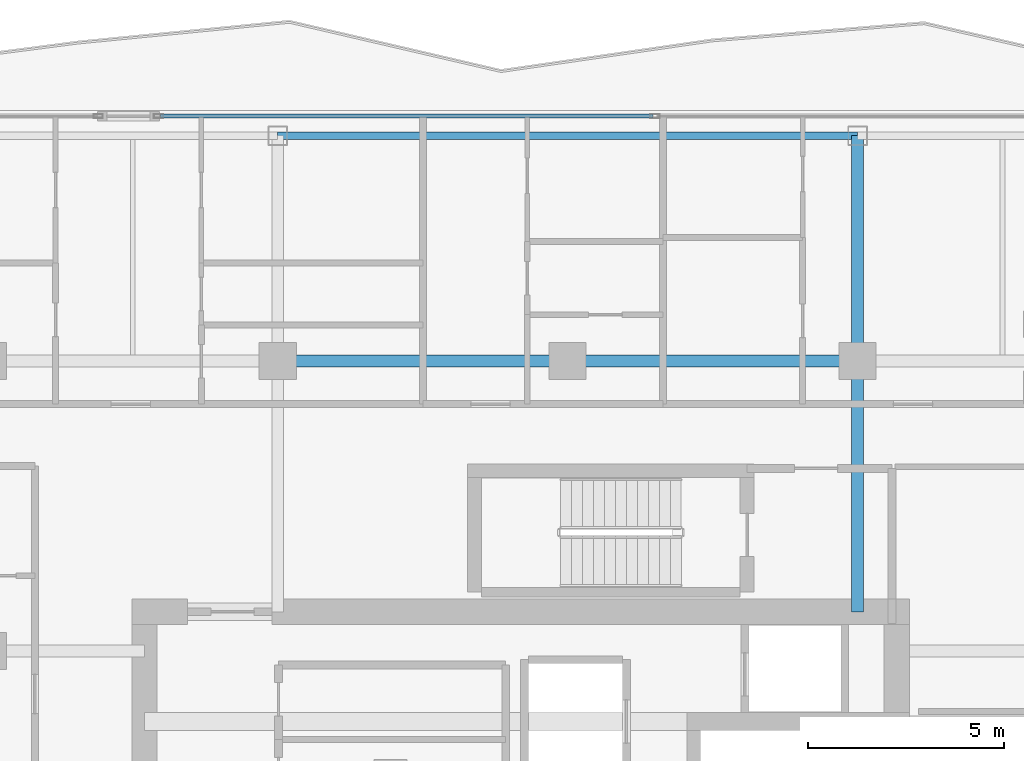
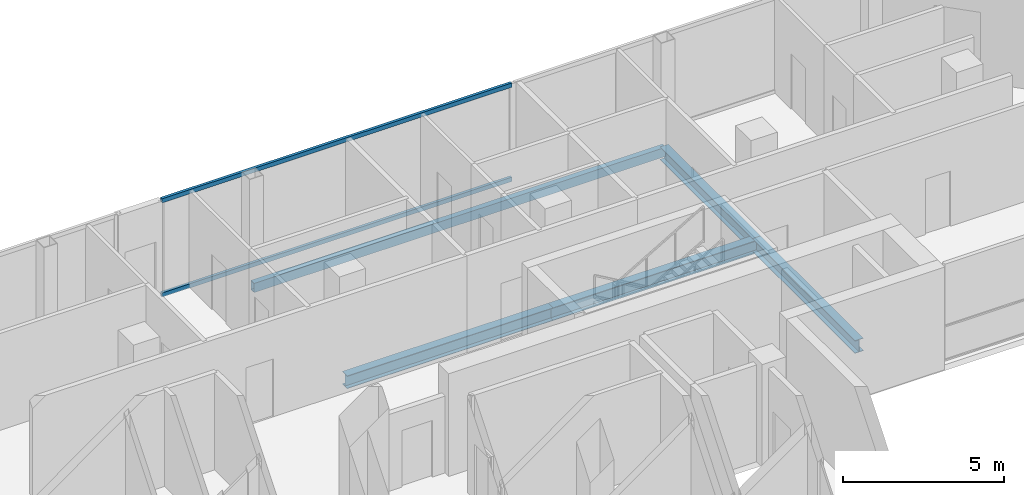
# One storey, part 12 of 23: 5 beams, 2 members, 1 element without a shape of its own.
"""IFC4 building model written with IfcOpenShell, lengths in metres."""

from ifc_helpers import new_model, si_unit, direction, frame, origin, origin_2d, place, context, subcontext, project, spatial, hollow_rectangle, i_section, extrude, material, layer, layer_set, material_profile, profile_set, type_object, element, aggregate, save


model = new_model("IFC4")

# Units and contexts
model_context = context("Model", 3, precision=1e-05, world=origin(), true_north=direction((0.0, 1.0)))
body_context = subcontext(model_context, "Body", "Model", "MODEL_VIEW")
ifc_project = project(units=[si_unit("LENGTHUNIT", "METRE"), si_unit("AREAUNIT", "SQUARE_METRE"), si_unit("VOLUMEUNIT", "CUBIC_METRE"), si_unit("PLANEANGLEUNIT", "RADIAN"), si_unit("MASSUNIT", "GRAM", prefix="KILO")], contexts=[model_context])

# Site, building, storey
site_placement = place(None, origin())
site = spatial("IfcSite", under=ifc_project, at=site_placement, CompositionType="ELEMENT")
building_placement = place(site_placement, origin())
building = spatial("IfcBuilding", under=site, at=building_placement, Name="Khorvyn Point Tower", CompositionType="ELEMENT")
storey_placement = place(building_placement, frame((0.0, 0.0, 293.699951171875)))
storey = spatial("IfcBuildingStorey", under=building, at=storey_placement, Name="L72", CompositionType="ELEMENT", Elevation=293.699951171875)

# Curtain wall, members
ifc_material_1 = material(Name="Anodised aluminium 6063-T6 and laminated Low-E glass", Category="aluminium")
ifc_layer = layer(ifc_material_1, 0.18994140625)
ifc_layer_set = layer_set([ifc_layer], Name="Stick-Built High-Wind Curtain Wall CW-SYS-04")
curtain_wall_type = type_object("IfcCurtainWallType", Name="Stick-Built High-Wind Curtain Wall CW-SYS-04", PredefinedType="NOTDEFINED", material=ifc_layer_set)
curtain_wall_placement = place(storey_placement, origin())
curtain_wall = element("IfcCurtainWall", 1, at=curtain_wall_placement, inside=storey, type_object=curtain_wall_type, Name="Curtain Wall", PredefinedType="NOTDEFINED")
ifc_material_2 = material(Name="Anodised aluminium 6063-T6", Category="aluminium")
ifc_material_profile_1 = material_profile(ifc_material_2, hollow_rectangle(XDim=0.10009765625, YDim=0.159912109375, WallThickness=0.00439453125, at=origin_2d()))
ifc_profile_set_1 = profile_set([ifc_material_profile_1], Name="Anodised aluminium 6063-T6 ALU-TRN-100x160")
member_type = type_object("IfcMemberType", Name="Anodised Aluminium 6063-T6 Transom ALU-TRN-100x160", PredefinedType="USERDEFINED", material=ifc_profile_set_1)
member_1_placement = place(storey_placement, frame((-10.389892578125, 21.050048828125, 0.050048828125), z_axis=(1.0, 0.0, 0.0), x_axis=(0.0, 1.0, 0.0)))
member_1 = element("IfcMember", 2, at=member_1_placement, type_object=member_type, Name="Transom", ObjectType="TRANSOM", PredefinedType="USERDEFINED", context=body_context, shape_type="SweptSolid", body=[
    extrude(hollow_rectangle(XDim=0.10009765625, YDim=0.159912109375, WallThickness=0.00439453125, at=origin_2d()), origin(), (0.0, 0.0, 1.0), 12.56982421875),
])
member_2_placement = place(storey_placement, frame((-10.389892578125, 21.050048828125, 3.630126953125), z_axis=(1.0, 0.0, 0.0), x_axis=(0.0, 1.0, 0.0)))
member_2 = element("IfcMember", 3, at=member_2_placement, type_object=member_type, Name="Transom", ObjectType="TRANSOM", PredefinedType="USERDEFINED", context=body_context, shape_type="SweptSolid", body=[
    extrude(hollow_rectangle(XDim=0.10009765625, YDim=0.159912109375, WallThickness=0.00439453125, at=origin_2d()), origin(), (0.0, 0.0, 1.0), 12.56982421875),
])
aggregate(curtain_wall, [member_1, member_2])

# Beams
ifc_material_3 = material(Name="Steel S355", Category="steel")
ifc_material_profile_2 = material_profile(ifc_material_3, i_section(OverallWidth=0.300048828125, OverallDepth=0.488037109375, WebThickness=0.010986328125, FlangeThickness=0.01806640625, at=origin_2d()))
ifc_profile_set_2 = profile_set([ifc_material_profile_2], Name="Steel S355 H488x300x11x18")
beam_type_1 = type_object("IfcBeamType", Name="Steel S355 Spandrel H488x300x11x18", PredefinedType="SPANDREL", material=ifc_profile_set_2)
for number, where, z_axis, x_axis, name in (
    (4, (-7.39990234375, 14.800048828125, -0.4638671875), (1.0, 0.0, 0.0), (0.0, 1.0, 0.0), "Beam"),
    (5, (0.0, 14.800048828125, -0.4638671875), (1.0, 0.0, 0.0), (0.0, 1.0, 0.0), "Beam"),
):
    element("IfcBeam", number, at=place(storey_placement, frame(where, z_axis=z_axis, x_axis=x_axis)), inside=storey, type_object=beam_type_1, Name=name, PredefinedType="SPANDREL", context=body_context, shape_type="SweptSolid", body=[
        extrude(i_section(OverallWidth=0.300048828125, OverallDepth=0.488037109375, WebThickness=0.010986328125, FlangeThickness=0.01806640625, at=origin_2d()), origin(), (0.0, 0.0, 1.0), 7.39990234375),
    ])
beam_1_placement = place(storey_placement, frame((7.39990234375, 8.39990234375, -0.4638671875), z_axis=(0.0, 1.0, 0.0), x_axis=(-1.0, 0.0, 0.0)))
element("IfcBeam", 6, at=beam_1_placement, inside=storey, type_object=beam_type_1, Name="Beam", PredefinedType="SPANDREL", context=body_context, shape_type="SweptSolid", body=[
    extrude(i_section(OverallWidth=0.300048828125, OverallDepth=0.488037109375, WebThickness=0.010986328125, FlangeThickness=0.01806640625, at=origin_2d()), origin(), (0.0, 0.0, 1.0), 6.400146484375),
])
beam_2_placement = place(storey_placement, frame((7.39990234375, 14.800048828125, -0.4638671875), z_axis=(0.0, 1.0, 0.0), x_axis=(-1.0, 0.0, 0.0)))
element("IfcBeam", 7, at=beam_2_placement, inside=storey, type_object=beam_type_1, Name="Beam", PredefinedType="SPANDREL", context=body_context, shape_type="SweptSolid", body=[
    extrude(i_section(OverallWidth=0.300048828125, OverallDepth=0.488037109375, WebThickness=0.010986328125, FlangeThickness=0.01806640625, at=origin_2d()), origin(), (0.0, 0.0, 1.0), 5.75),
])
ifc_material_profile_3 = material_profile(ifc_material_3, hollow_rectangle(XDim=0.199951171875, YDim=0.35009765625, WallThickness=0.013916015625, at=origin_2d()))
ifc_profile_set_3 = profile_set([ifc_material_profile_3], Name="Steel S355 RHS350x200x14")
beam_type_2 = type_object("IfcBeamType", Name="Steel S355 Spandrel RHS350x200x14", PredefinedType="SPANDREL", material=ifc_profile_set_3)
beam_3_placement = place(storey_placement, frame((-7.39990234375, 20.550048828125, -0.39501953125), z_axis=(1.0, 0.0, 0.0), x_axis=(0.0, 1.0, 0.0)))
element("IfcBeam", 8, at=beam_3_placement, inside=storey, type_object=beam_type_2, Name="Beam", PredefinedType="SPANDREL", context=body_context, shape_type="SweptSolid", body=[
    extrude(hollow_rectangle(XDim=0.199951171875, YDim=0.35009765625, WallThickness=0.013916015625, at=origin_2d()), origin(), (0.0, 0.0, 1.0), 14.7998046875),
])

save(model, "model.ifc")
